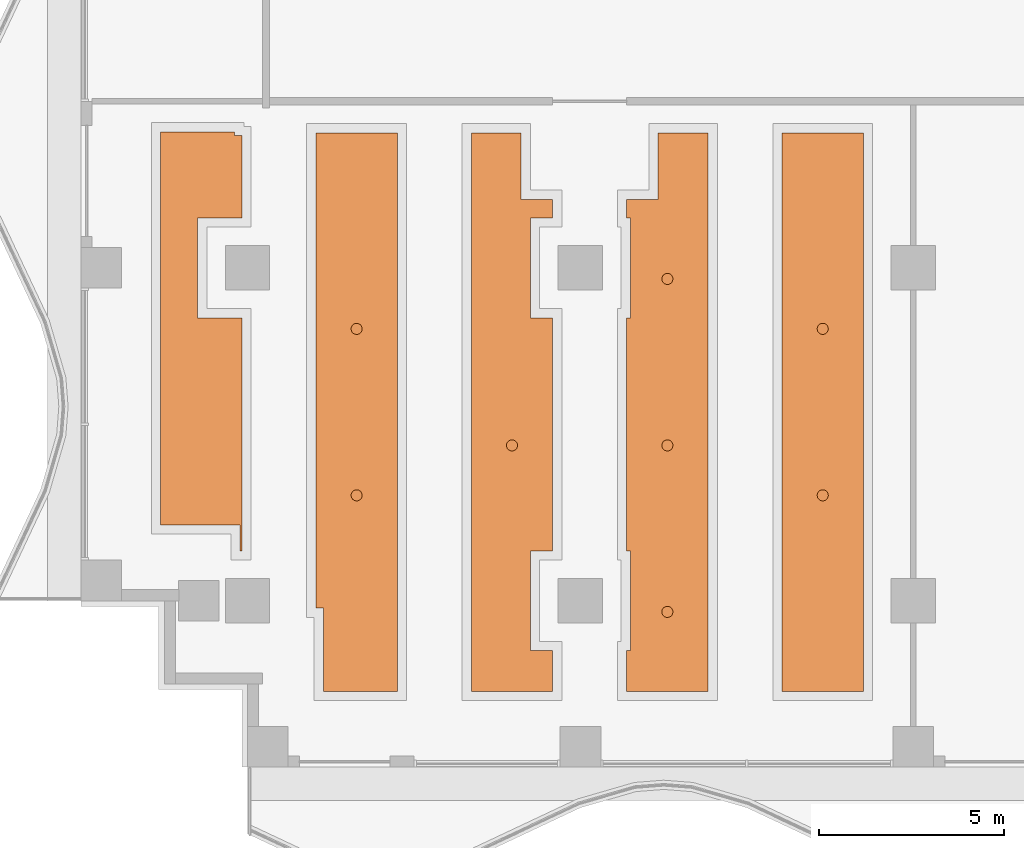
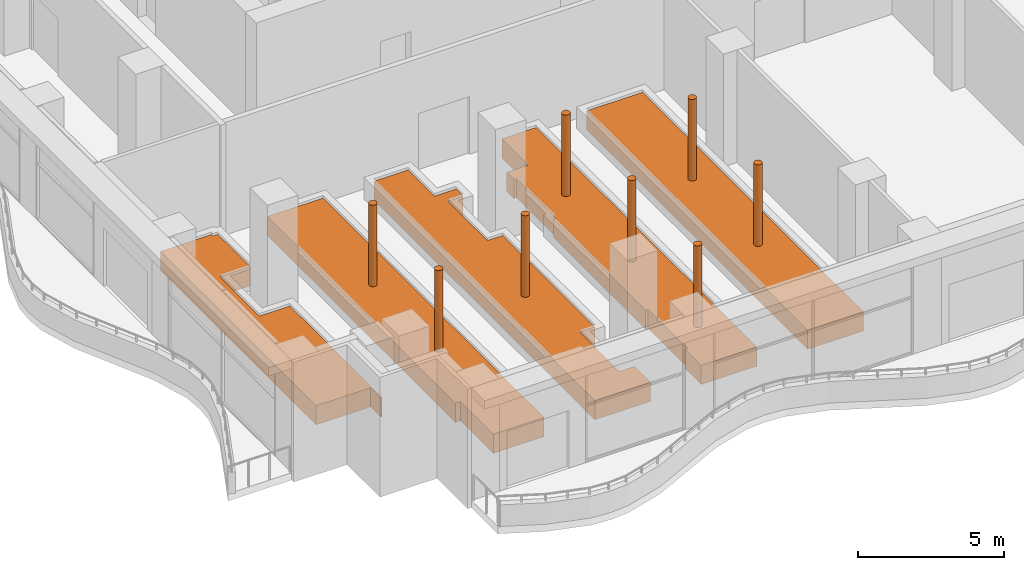
# One storey, part 16 of 16: 8 geographic elements, 5 proxies.
"""IFC4 building model written with IfcOpenShell, lengths in metres."""

from ifc_helpers import new_model, si_unit, direction, frame, origin, origin_2d, place, context, subcontext, project, spatial, polyline, circle, outline, extrude, material, type_object, element, save


model = new_model("IFC4")

# Units and contexts
model_context = context("Model", 3, precision=1e-05, world=origin(), true_north=direction((0.0, 1.0)))
body_context = subcontext(model_context, "Body", "Model", "MODEL_VIEW")
ifc_project = project(units=[si_unit("LENGTHUNIT", "METRE"), si_unit("AREAUNIT", "SQUARE_METRE"), si_unit("VOLUMEUNIT", "CUBIC_METRE"), si_unit("PLANEANGLEUNIT", "RADIAN"), si_unit("MASSUNIT", "GRAM", prefix="KILO")], contexts=[model_context])

# Site, building, storey
site_placement = place(None, origin())
site = spatial("IfcSite", under=ifc_project, at=site_placement, CompositionType="ELEMENT")
building_placement = place(site_placement, origin())
building = spatial("IfcBuilding", under=site, at=building_placement, Name="Orbiselva Terraces", CompositionType="ELEMENT")
storey_placement = place(building_placement, frame((0.0, 0.0, 174.4)))
storey = spatial("IfcBuildingStorey", under=building, at=storey_placement, Name="L44", CompositionType="ELEMENT", Elevation=174.4)

# Proxies
ifc_material_1 = material(Name="Planting soil")
building_element_proxy_type = type_object("IfcBuildingElementProxyType", Name="ENV-PLANTING-SOIL", PredefinedType="USERDEFINED", material=ifc_material_1)
proxy_1_placement = place(storey_placement, origin())
element("IfcBuildingElementProxy", 1, at=proxy_1_placement, inside=storey, type_object=building_element_proxy_type, Name="Planting soil L44 Planting bed 1", ObjectType="PLANTING SOIL", PredefinedType="USERDEFINED", context=body_context, shape_type="SweptSolid", body=[
    extrude(outline(polyline([(-7.75, -14.85), (-7.65, -14.85), (-7.65, -12.15), (-7.75, -12.15), (-7.75, -5.85), (-7.65, -5.85), (-7.65, -3.15), (-7.75, -3.15), (-7.75, -2.65), (-6.9, -2.65), (-6.9, -0.85), (-5.55, -0.85), (-5.55, -15.95), (-7.75, -15.95), (-7.75, -14.85)])), origin(), (0.0, 0.0, 1.0), 0.8),
])
proxy_2_placement = place(storey_placement, origin())
element("IfcBuildingElementProxy", 2, at=proxy_2_placement, inside=storey, type_object=building_element_proxy_type, Name="Planting soil L44 Planting bed 2", ObjectType="PLANTING SOIL", PredefinedType="USERDEFINED", context=body_context, shape_type="SweptSolid", body=[
    extrude(outline(polyline([(-9.75, -15.95), (-11.95, -15.95), (-11.95, -0.85), (-10.6, -0.85), (-10.6, -2.65), (-9.75, -2.65), (-9.75, -3.15), (-10.35, -3.15), (-10.35, -5.85), (-9.75, -5.85), (-9.75, -12.15), (-10.35, -12.15), (-10.35, -14.85), (-9.75, -14.85), (-9.75, -15.95)])), origin(), (0.0, 0.0, 1.0), 0.8),
])
proxy_3_placement = place(storey_placement, origin())
element("IfcBuildingElementProxy", 3, at=proxy_3_placement, inside=storey, type_object=building_element_proxy_type, Name="Planting soil L44 Planting bed 3", ObjectType="PLANTING SOIL", PredefinedType="USERDEFINED", context=body_context, shape_type="SweptSolid", body=[
    extrude(outline(polyline([(-1.35, -15.95), (-3.55, -15.95), (-3.55, -0.85), (-1.35, -0.85), (-1.35, -3.4), (-1.35, -5.85), (-1.35, -5.85), (-1.35, -12.4), (-1.35, -14.85), (-1.35, -14.85), (-1.35, -15.95)])), origin(), (0.0, 0.0, 1.0), 0.8),
])
proxy_4_placement = place(storey_placement, origin())
element("IfcBuildingElementProxy", 4, at=proxy_4_placement, inside=storey, type_object=building_element_proxy_type, Name="Planting soil L44 Planting bed 4", ObjectType="PLANTING SOIL", PredefinedType="USERDEFINED", context=body_context, shape_type="SweptSolid", body=[
    extrude(outline(polyline([(-16.15, -13.7), (-16.15, -0.85), (-13.95, -0.85), (-13.95, -15.95), (-15.95, -15.95), (-15.95, -13.7), (-16.15, -13.7)])), origin(), (0.0, 0.0, 1.0), 0.8),
])
proxy_5_placement = place(storey_placement, origin())
element("IfcBuildingElementProxy", 5, at=proxy_5_placement, inside=storey, type_object=building_element_proxy_type, Name="Planting soil L44 Planting bed 5", ObjectType="PLANTING SOIL", PredefinedType="USERDEFINED", context=body_context, shape_type="SweptSolid", body=[
    extrude(outline(polyline([(-18.35, -0.825), (-18.35, -0.925), (-18.15, -0.925), (-18.15, -3.15), (-19.35, -3.15), (-19.35, -5.85), (-18.15, -5.85), (-18.15, -12.15), (-18.2, -12.15), (-18.2, -11.45), (-20.35, -11.45), (-20.35, -0.825), (-18.35, -0.825)])), origin(), (0.0, 0.0, 1.0), 0.8),
])

# Geographic elements
ifc_material_2 = material(Name="Planted tree")
geographic_element_type = type_object("IfcGeographicElementType", Name="ENV-TREE-300x3400", PredefinedType="USERDEFINED", material=ifc_material_2)
for number, where, z_axis, x_axis, name in (
    (6, (-6.65, -13.8, 4.2), (0.0, 0.0, -1.0), (1.0, 0.0, 0.0), "Tree L44"),
    (7, (-6.65, -9.3, 4.2), (0.0, 0.0, -1.0), (1.0, 0.0, 0.0), "Tree L44"),
    (8, (-6.65, -4.8, 4.2), (0.0, 0.0, -1.0), (1.0, 0.0, 0.0), "Tree L44"),
    (9, (-10.85, -9.3, 4.2), (0.0, 0.0, -1.0), (1.0, 0.0, 0.0), "Tree L44"),
    (10, (-2.45, -10.65, 4.2), (0.0, 0.0, -1.0), (1.0, 0.0, 0.0), "Tree L44"),
    (11, (-2.45, -6.15, 4.2), (0.0, 0.0, -1.0), (1.0, 0.0, 0.0), "Tree L44"),
    (12, (-15.05, -10.65, 4.2), (0.0, 0.0, -1.0), (1.0, 0.0, 0.0), "Tree L44"),
    (13, (-15.05, -6.15, 4.2), (0.0, 0.0, -1.0), (1.0, 0.0, 0.0), "Tree L44"),
):
    element("IfcGeographicElement", number, at=place(storey_placement, frame(where, z_axis=z_axis, x_axis=x_axis)), inside=storey, type_object=geographic_element_type, Name=name, ObjectType="TREE", PredefinedType="USERDEFINED", context=body_context, shape_type="SweptSolid", body=[
        extrude(circle(Radius=0.15, at=origin_2d()), origin(), (0.0, 0.0, 1.0), 3.4),
    ])

save(model, "model.ifc")
